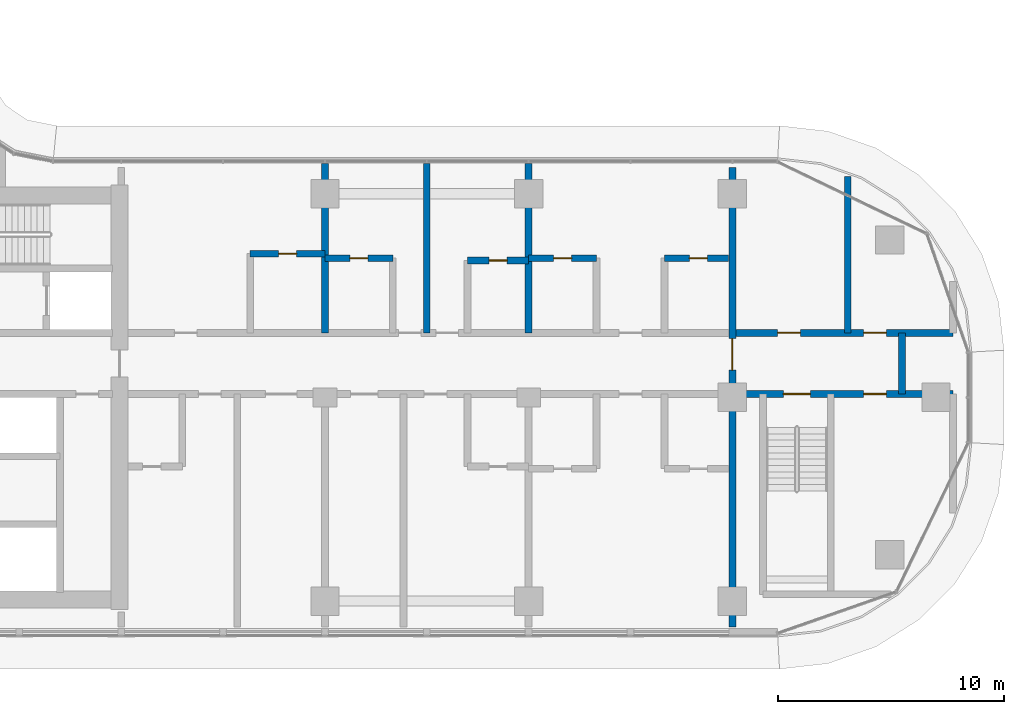
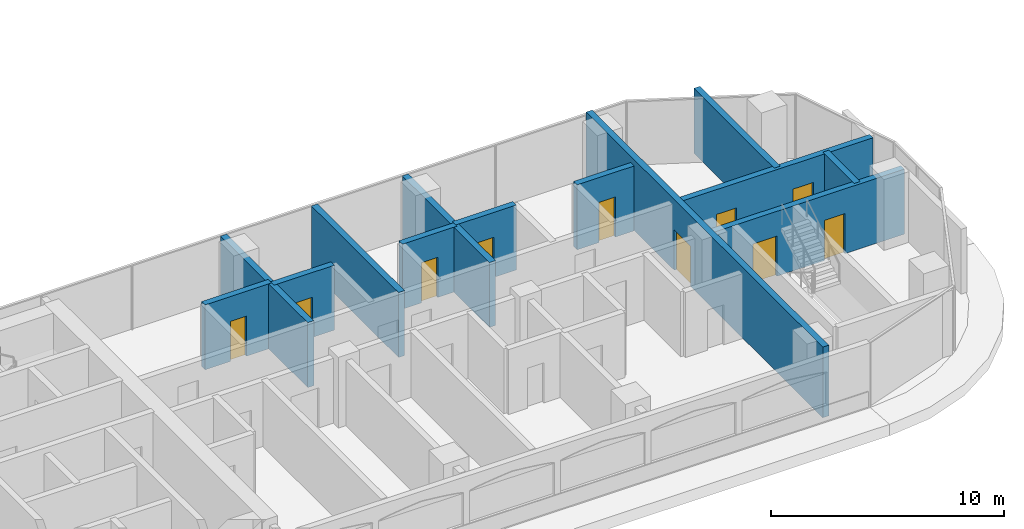
# One storey, part 12 of 25: 13 walls, 10 doors, 10 openings.
"""IFC4 building model written with IfcOpenShell, lengths in metres."""

from ifc_helpers import new_model, si_unit, direction, frame, frame_2d, origin, place, context, subcontext, project, spatial, rectangle, extrude, material, layer, layer_set, type_object, element, fill, save


model = new_model("IFC4")

# Units and contexts
model_context = context("Model", 3, precision=1e-05, world=origin(), true_north=direction((0.0, 1.0)))
body_context = subcontext(model_context, "Body", "Model", "MODEL_VIEW")
ifc_project = project(units=[si_unit("LENGTHUNIT", "METRE"), si_unit("AREAUNIT", "SQUARE_METRE"), si_unit("VOLUMEUNIT", "CUBIC_METRE"), si_unit("PLANEANGLEUNIT", "RADIAN"), si_unit("MASSUNIT", "GRAM", prefix="KILO")], contexts=[model_context])

# Site, building, storey
site_placement = place(None, origin())
site = spatial("IfcSite", under=ifc_project, at=site_placement, CompositionType="ELEMENT")
building_placement = place(site_placement, origin())
building = spatial("IfcBuilding", under=site, at=building_placement, Name="Ogive Portal Towers", CompositionType="ELEMENT")
storey_placement = place(building_placement, frame((0.0, 0.0, 105.60009765625)))
storey = spatial("IfcBuildingStorey", under=building, at=storey_placement, Name="L25", CompositionType="ELEMENT", Elevation=105.60009765625)

# Wall, opening, door
ifc_material_1 = material(Name="Concrete C60/75", Category="concrete")
ifc_layer_1 = layer(ifc_material_1, 0.300048828125)
ifc_layer_set_1 = layer_set([ifc_layer_1], Name="REVEAL WALL 300 C60")
wall_type_1 = type_object("IfcWallType", Name="REVEAL WALL 300 C60", PredefinedType="SHEAR", material=ifc_layer_set_1)
wall_1_placement = place(storey_placement, frame((85.5, 20.35009765625, 0.0), z_axis=(0.0, 0.0, 1.0), x_axis=(0.0, 1.0, 0.0)))
wall_1 = element("IfcWall", 1, at=wall_1_placement, inside=storey, type_object=wall_type_1, Name="Portal reveal wall L25", PredefinedType="SHEAR", context=body_context, shape_type="SweptSolid", body=[
    extrude(rectangle(XDim=20.2998046875, YDim=0.300048828125, at=frame_2d((10.14990234375, 0.0))), origin(), (0.0, 0.0, 1.0), 3.699951171875),
])
opening_1_placement = place(wall_1_placement, frame((11.35009765625, 0.0, 0.0)))
opening_1 = element("IfcOpeningElement", 2, at=opening_1_placement, cuts=wall_1, Name="Opening D09-063", PredefinedType="OPENING", context=body_context, shape_type="SweptSolid", body=[
    extrude(rectangle(XDim=1.39990234375, YDim=2.10009765625, at=frame_2d((0.699951171875, 1.050048828125))), frame((0.0, 0.16015625, 0.0), z_axis=(0.0, -1.0, 0.0), x_axis=(1.0, 0.0, 0.0)), (0.0, 0.0, 1.0), 0.320068359375),
])
ifc_material_2 = material(Name="Steel fire door", Category="steel")
door_type_1 = type_object("IfcDoorType", Name="DT-STAIR-1400x2100-FD90S", OperationType="SINGLE_SWING_LEFT", PredefinedType="DOOR", material=ifc_material_2)
door_1_placement = place(opening_1_placement, origin())
door_1 = element("IfcDoor", 3, at=door_1_placement, inside=storey, type_object=door_type_1, Name="Door D09-063", OperationType="SINGLE_SWING_RIGHT", OverallHeight=2.10009765625, OverallWidth=1.39990234375, PredefinedType="DOOR", context=body_context, shape_type="SweptSolid", body=[
    extrude(rectangle(XDim=1.39990234375, YDim=2.10009765625, at=frame_2d((0.699951171875, 1.050048828125))), frame((0.0, 0.02490234375, 0.0), z_axis=(0.0, -1.0, 0.0), x_axis=(1.0, 0.0, 0.0)), (0.0, 0.0, 1.0), 0.050048828125),
])
fill(opening_1, door_1)

# Wall, openings, doors
ifc_material_3 = material(Name="Concrete C50/60", Category="concrete")
ifc_layer_2 = layer(ifc_material_3, 0.300048828125)
ifc_layer_set_2 = layer_set([ifc_layer_2], Name="STAIR WALL 300 C50")
wall_type_2 = type_object("IfcWallType", Name="STAIR WALL 300 C50", PredefinedType="SHEAR", material=ifc_layer_set_2)
wall_2_placement = place(storey_placement, frame((85.669921875, 30.64990234375, 0.0), z_axis=(0.0, 0.0, 1.0), x_axis=(1.0, 0.0, 0.0)))
wall_2 = element("IfcWall", 4, at=wall_2_placement, inside=storey, type_object=wall_type_2, Name="Stair wall ST-A4 L25", PredefinedType="SHEAR", context=body_context, shape_type="SweptSolid", body=[
    extrude(rectangle(XDim=9.580078125, YDim=0.300048828125, at=frame_2d((4.7900390625, 0.0))), origin(), (0.0, 0.0, 1.0), 3.39990234375),
])
opening_2_placement = place(wall_2_placement, frame((2.080078125, 0.0, 0.0)))
opening_2 = element("IfcOpeningElement", 5, at=opening_2_placement, cuts=wall_2, Name="Opening D09-058", PredefinedType="OPENING", context=body_context, shape_type="SweptSolid", body=[
    extrude(rectangle(XDim=1.199951171875, YDim=2.10009765625, at=frame_2d((0.60009765625, 1.050048828125))), frame((0.0, 0.16015625, 0.0), z_axis=(0.0, -1.0, 0.0), x_axis=(1.0, 0.0, 0.0)), (0.0, 0.0, 1.0), 0.320068359375),
])
opening_3_placement = place(wall_2_placement, frame((5.6298828125, 0.0, 0.0)))
opening_3 = element("IfcOpeningElement", 6, at=opening_3_placement, cuts=wall_2, Name="Opening D09-061", PredefinedType="OPENING", context=body_context, shape_type="SweptSolid", body=[
    extrude(rectangle(XDim=1.0, YDim=2.10009765625, at=frame_2d((0.5, 1.050048828125))), frame((0.0, 0.16015625, 0.0), z_axis=(0.0, -1.0, 0.0), x_axis=(1.0, 0.0, 0.0)), (0.0, 0.0, 1.0), 0.320068359375),
])
door_type_2 = type_object("IfcDoorType", Name="DT-SERVICE-1000x2100-FD90S", OperationType="SINGLE_SWING_LEFT", PredefinedType="DOOR", material=ifc_material_2)
door_2_placement = place(opening_3_placement, origin())
door_2 = element("IfcDoor", 7, at=door_2_placement, inside=storey, type_object=door_type_2, Name="Door D09-061", OperationType="SINGLE_SWING_LEFT", OverallHeight=2.10009765625, OverallWidth=1.0, PredefinedType="DOOR", context=body_context, shape_type="SweptSolid", body=[
    extrude(rectangle(XDim=1.0, YDim=2.10009765625, at=frame_2d((0.5, 1.050048828125))), frame((0.0, 0.02490234375, 0.0), z_axis=(0.0, -1.0, 0.0), x_axis=(1.0, 0.0, 0.0)), (0.0, 0.0, 1.0), 0.050048828125),
])
fill(opening_3, door_2)
door_type_3 = type_object("IfcDoorType", Name="DT-STAIR-1200x2100-FD90S", OperationType="SINGLE_SWING_LEFT", PredefinedType="DOOR", material=ifc_material_2)
door_3_placement = place(opening_2_placement, origin())
door_3 = element("IfcDoor", 8, at=door_3_placement, inside=storey, type_object=door_type_3, Name="Door D09-058", OperationType="SINGLE_SWING_LEFT", OverallHeight=2.10009765625, OverallWidth=1.199951171875, PredefinedType="DOOR", context=body_context, shape_type="SweptSolid", body=[
    extrude(rectangle(XDim=1.199951171875, YDim=2.10009765625, at=frame_2d((0.60009765625, 1.050048828125))), frame((0.0, 0.02490234375, 0.0), z_axis=(0.0, -1.0, 0.0), x_axis=(1.0, 0.0, 0.0)), (0.0, 0.0, 1.0), 0.050048828125),
])
fill(opening_2, door_3)

ifc_material_4 = material(Name="Gypsum board partition on steel studs", Category="steel")
ifc_layer_3 = layer(ifc_material_4, 0.300048828125)
ifc_layer_set_3 = layer_set([ifc_layer_3], Name="WT-PART-300-EI 120")
wall_type_3 = type_object("IfcWallType", Name="WT-PART-300-EI 120", PredefinedType="PARTITIONING", material=ifc_layer_set_3)
wall_3_placement = place(storey_placement, frame((85.669921875, 33.35009765625, 0.0), z_axis=(0.0, 0.0, 1.0), x_axis=(1.0, 0.0, 0.0)))
wall_3 = element("IfcWall", 9, at=wall_3_placement, inside=storey, type_object=wall_type_3, Name="Wall L25:w009", PredefinedType="PARTITIONING", context=body_context, shape_type="SweptSolid", body=[
    extrude(rectangle(XDim=9.580078125, YDim=0.300048828125, at=frame_2d((4.7900390625, 0.0))), origin(), (0.0, 0.0, 1.0), 3.39990234375),
])
opening_4_placement = place(wall_3_placement, frame((1.830078125, 0.0, 0.0)))
opening_4 = element("IfcOpeningElement", 10, at=opening_4_placement, cuts=wall_3, Name="Opening D09-059", PredefinedType="OPENING", context=body_context, shape_type="SweptSolid", body=[
    extrude(rectangle(XDim=1.0, YDim=2.10009765625, at=frame_2d((0.5, 1.050048828125))), frame((0.0, 0.16015625, 0.0), z_axis=(0.0, -1.0, 0.0), x_axis=(1.0, 0.0, 0.0)), (0.0, 0.0, 1.0), 0.320068359375),
])
opening_5_placement = place(wall_3_placement, frame((5.6298828125, 0.0, 0.0)))
opening_5 = element("IfcOpeningElement", 11, at=opening_5_placement, cuts=wall_3, Name="Opening D09-060", PredefinedType="OPENING", context=body_context, shape_type="SweptSolid", body=[
    extrude(rectangle(XDim=1.0, YDim=2.10009765625, at=frame_2d((0.5, 1.050048828125))), frame((0.0, 0.16015625, 0.0), z_axis=(0.0, -1.0, 0.0), x_axis=(1.0, 0.0, 0.0)), (0.0, 0.0, 1.0), 0.320068359375),
])
door_4_placement = place(opening_4_placement, origin())
door_4 = element("IfcDoor", 12, at=door_4_placement, inside=storey, type_object=door_type_2, Name="Door D09-059", OperationType="SINGLE_SWING_LEFT", OverallHeight=2.10009765625, OverallWidth=1.0, PredefinedType="DOOR", context=body_context, shape_type="SweptSolid", body=[
    extrude(rectangle(XDim=1.0, YDim=2.10009765625, at=frame_2d((0.5, 1.050048828125))), frame((0.0, 0.02490234375, 0.0), z_axis=(0.0, -1.0, 0.0), x_axis=(1.0, 0.0, 0.0)), (0.0, 0.0, 1.0), 0.050048828125),
])
fill(opening_4, door_4)
door_5_placement = place(opening_5_placement, origin())
door_5 = element("IfcDoor", 13, at=door_5_placement, inside=storey, type_object=door_type_2, Name="Riser access door D09-060", OperationType="SINGLE_SWING_RIGHT", OverallHeight=2.10009765625, OverallWidth=1.0, PredefinedType="DOOR", context=body_context, shape_type="SweptSolid", body=[
    extrude(rectangle(XDim=1.0, YDim=2.10009765625, at=frame_2d((0.5, 1.050048828125))), frame((0.0, 0.02490234375, 0.0), z_axis=(0.0, -1.0, 0.0), x_axis=(1.0, 0.0, 0.0)), (0.0, 0.0, 1.0), 0.050048828125),
])
fill(opening_5, door_5)

# Wall
wall_4_placement = place(storey_placement, frame((93.0, 30.64990234375, 0.0), z_axis=(0.0, 0.0, 1.0), x_axis=(0.0, 1.0, 0.0)))
element("IfcWall", 14, at=wall_4_placement, inside=storey, type_object=wall_type_3, Name="Wall L25:w065", PredefinedType="PARTITIONING", context=body_context, shape_type="SweptSolid", body=[
    extrude(rectangle(XDim=2.7001953125, YDim=0.300048828125, at=frame_2d((1.35009765625, 0.0))), origin(), (0.0, 0.0, 1.0), 3.39990234375),
])

# Wall, opening, door
ifc_layer_4 = layer(ifc_material_4, 0.300048828125)
ifc_layer_set_4 = layer_set([ifc_layer_4], Name="WT-PART-300-EI 60")
wall_type_4 = type_object("IfcWallType", Name="WT-PART-300-EI 60", PredefinedType="PARTITIONING", material=ifc_layer_set_4)
wall_5_placement = place(storey_placement, frame((73.800048828125, 36.550048828125, 0.0), z_axis=(0.0, 0.0, 1.0), x_axis=(1.0, 0.0, 0.0)))
wall_5 = element("IfcWall", 15, at=wall_5_placement, inside=storey, type_object=wall_type_4, Name="Wall L25:w010", PredefinedType="PARTITIONING", context=body_context, shape_type="SweptSolid", body=[
    extrude(rectangle(XDim=2.699951171875, YDim=0.300048828125, at=frame_2d((1.35009765625, 0.0))), origin(), (0.0, 0.0, 1.0), 3.39990234375),
])
opening_6_placement = place(wall_5_placement, frame((0.949951171875, 0.0, 0.0)))
opening_6 = element("IfcOpeningElement", 16, at=opening_6_placement, cuts=wall_5, Name="Opening D09-031", PredefinedType="OPENING", context=body_context, shape_type="SweptSolid", body=[
    extrude(rectangle(XDim=0.800048828125, YDim=2.10009765625, at=frame_2d((0.39990234375, 1.050048828125))), frame((0.0, 0.16015625, 0.0), z_axis=(0.0, -1.0, 0.0), x_axis=(1.0, 0.0, 0.0)), (0.0, 0.0, 1.0), 0.320068359375),
])
door_type_4 = type_object("IfcDoorType", Name="DT-BATH-800x2100-FD60S", OperationType="SINGLE_SWING_LEFT", PredefinedType="DOOR", material=ifc_material_2)
door_6_placement = place(opening_6_placement, origin())
door_6 = element("IfcDoor", 17, at=door_6_placement, inside=storey, type_object=door_type_4, Name="Door D09-031", OperationType="SINGLE_SWING_RIGHT", OverallHeight=2.10009765625, OverallWidth=0.800048828125, PredefinedType="DOOR", context=body_context, shape_type="SweptSolid", body=[
    extrude(rectangle(XDim=0.800048828125, YDim=2.10009765625, at=frame_2d((0.39990234375, 1.050048828125))), frame((0.0, 0.02490234375, 0.0), z_axis=(0.0, -1.0, 0.0), x_axis=(1.0, 0.0, 0.0)), (0.0, 0.0, 1.0), 0.050048828125),
])
fill(opening_6, door_6)

wall_6_placement = place(storey_placement, frame((67.5, 36.64990234375, 0.0), z_axis=(0.0, 0.0, 1.0), x_axis=(1.0, 0.0, 0.0)))
wall_6 = element("IfcWall", 18, at=wall_6_placement, inside=storey, type_object=wall_type_4, Name="Wall L25:w011", PredefinedType="PARTITIONING", context=body_context, shape_type="SweptSolid", body=[
    extrude(rectangle(XDim=3.0, YDim=0.300048828125, at=frame_2d((1.5, 0.0))), origin(), (0.0, 0.0, 1.0), 3.39990234375),
])
opening_7_placement = place(wall_6_placement, frame((1.10009765625, 0.0, 0.0)))
opening_7 = element("IfcOpeningElement", 19, at=opening_7_placement, cuts=wall_6, Name="Opening D09-029", PredefinedType="OPENING", context=body_context, shape_type="SweptSolid", body=[
    extrude(rectangle(XDim=0.800048828125, YDim=2.10009765625, at=frame_2d((0.39990234375, 1.050048828125))), frame((0.0, 0.16015625, 0.0), z_axis=(0.0, -1.0, 0.0), x_axis=(1.0, 0.0, 0.0)), (0.0, 0.0, 1.0), 0.320068359375),
])
door_7_placement = place(opening_7_placement, origin())
door_7 = element("IfcDoor", 20, at=door_7_placement, inside=storey, type_object=door_type_4, Name="Door D09-029", OperationType="SINGLE_SWING_LEFT", OverallHeight=2.10009765625, OverallWidth=0.800048828125, PredefinedType="DOOR", context=body_context, shape_type="SweptSolid", body=[
    extrude(rectangle(XDim=0.800048828125, YDim=2.10009765625, at=frame_2d((0.39990234375, 1.050048828125))), frame((0.0, 0.02490234375, 0.0), z_axis=(0.0, -1.0, 0.0), x_axis=(1.0, 0.0, 0.0)), (0.0, 0.0, 1.0), 0.050048828125),
])
fill(opening_7, door_7)

wall_7_placement = place(storey_placement, frame((76.5, 36.64990234375, 0.0), z_axis=(0.0, 0.0, 1.0), x_axis=(1.0, 0.0, 0.0)))
wall_7 = element("IfcWall", 21, at=wall_7_placement, inside=storey, type_object=wall_type_4, Name="Wall L25:w012", PredefinedType="PARTITIONING", context=body_context, shape_type="SweptSolid", body=[
    extrude(rectangle(XDim=3.0, YDim=0.300048828125, at=frame_2d((1.5, 0.0))), origin(), (0.0, 0.0, 1.0), 3.39990234375),
])
opening_8_placement = place(wall_7_placement, frame((1.10009765625, 0.0, 0.0)))
opening_8 = element("IfcOpeningElement", 22, at=opening_8_placement, cuts=wall_7, Name="Opening D09-036", PredefinedType="OPENING", context=body_context, shape_type="SweptSolid", body=[
    extrude(rectangle(XDim=0.800048828125, YDim=2.10009765625, at=frame_2d((0.39990234375, 1.050048828125))), frame((0.0, 0.16015625, 0.0), z_axis=(0.0, -1.0, 0.0), x_axis=(1.0, 0.0, 0.0)), (0.0, 0.0, 1.0), 0.320068359375),
])
door_8_placement = place(opening_8_placement, origin())
door_8 = element("IfcDoor", 23, at=door_8_placement, inside=storey, type_object=door_type_4, Name="Door D09-036", OperationType="SINGLE_SWING_LEFT", OverallHeight=2.10009765625, OverallWidth=0.800048828125, PredefinedType="DOOR", context=body_context, shape_type="SweptSolid", body=[
    extrude(rectangle(XDim=0.800048828125, YDim=2.10009765625, at=frame_2d((0.39990234375, 1.050048828125))), frame((0.0, 0.02490234375, 0.0), z_axis=(0.0, -1.0, 0.0), x_axis=(1.0, 0.0, 0.0)), (0.0, 0.0, 1.0), 0.050048828125),
])
fill(opening_8, door_8)

wall_8_placement = place(storey_placement, frame((82.5, 36.64990234375, 0.0), z_axis=(0.0, 0.0, 1.0), x_axis=(1.0, 0.0, 0.0)))
wall_8 = element("IfcWall", 24, at=wall_8_placement, inside=storey, type_object=wall_type_4, Name="Wall L25:w013", PredefinedType="PARTITIONING", context=body_context, shape_type="SweptSolid", body=[
    extrude(rectangle(XDim=2.830078125, YDim=0.300048828125, at=frame_2d((1.4150390625, 0.0))), origin(), (0.0, 0.0, 1.0), 3.39990234375),
])
opening_9_placement = place(wall_8_placement, frame((1.10009765625, 0.0, 0.0)))
opening_9 = element("IfcOpeningElement", 25, at=opening_9_placement, cuts=wall_8, Name="Opening D09-037", PredefinedType="OPENING", context=body_context, shape_type="SweptSolid", body=[
    extrude(rectangle(XDim=0.800048828125, YDim=2.10009765625, at=frame_2d((0.39990234375, 1.050048828125))), frame((0.0, 0.16015625, 0.0), z_axis=(0.0, -1.0, 0.0), x_axis=(1.0, 0.0, 0.0)), (0.0, 0.0, 1.0), 0.320068359375),
])
door_9_placement = place(opening_9_placement, origin())
door_9 = element("IfcDoor", 26, at=door_9_placement, inside=storey, type_object=door_type_4, Name="Door D09-037", OperationType="SINGLE_SWING_RIGHT", OverallHeight=2.10009765625, OverallWidth=0.800048828125, PredefinedType="DOOR", context=body_context, shape_type="SweptSolid", body=[
    extrude(rectangle(XDim=0.800048828125, YDim=2.10009765625, at=frame_2d((0.39990234375, 1.050048828125))), frame((0.0, 0.02490234375, 0.0), z_axis=(0.0, -1.0, 0.0), x_axis=(1.0, 0.0, 0.0)), (0.0, 0.0, 1.0), 0.050048828125),
])
fill(opening_9, door_9)

wall_9_placement = place(storey_placement, frame((64.199951171875, 36.85009765625, 0.0), z_axis=(0.0, 0.0, 1.0), x_axis=(1.0, 0.0, 0.0)))
wall_9 = element("IfcWall", 27, at=wall_9_placement, inside=storey, type_object=wall_type_4, Name="Wall L25:w014", PredefinedType="PARTITIONING", context=body_context, shape_type="SweptSolid", body=[
    extrude(rectangle(XDim=3.300048828125, YDim=0.300048828125, at=frame_2d((1.64990234375, 0.0))), origin(), (0.0, 0.0, 1.0), 3.39990234375),
])
opening_10_placement = place(wall_9_placement, frame((1.25, 0.0, 0.0)))
opening_10 = element("IfcOpeningElement", 28, at=opening_10_placement, cuts=wall_9, Name="Opening D09-024", PredefinedType="OPENING", context=body_context, shape_type="SweptSolid", body=[
    extrude(rectangle(XDim=0.800048828125, YDim=2.10009765625, at=frame_2d((0.39990234375, 1.050048828125))), frame((0.0, 0.16015625, 0.0), z_axis=(0.0, -1.0, 0.0), x_axis=(1.0, 0.0, 0.0)), (0.0, 0.0, 1.0), 0.320068359375),
])
door_10_placement = place(opening_10_placement, origin())
door_10 = element("IfcDoor", 29, at=door_10_placement, inside=storey, type_object=door_type_4, Name="Door D09-024", OperationType="SINGLE_SWING_LEFT", OverallHeight=2.10009765625, OverallWidth=0.800048828125, PredefinedType="DOOR", context=body_context, shape_type="SweptSolid", body=[
    extrude(rectangle(XDim=0.800048828125, YDim=2.10009765625, at=frame_2d((0.39990234375, 1.050048828125))), frame((0.0, 0.02490234375, 0.0), z_axis=(0.0, -1.0, 0.0), x_axis=(1.0, 0.0, 0.0)), (0.0, 0.0, 1.0), 0.050048828125),
])
fill(opening_10, door_10)

# Walls
for number, where, z_axis, x_axis, name in (
    (30, (67.5, 33.35009765625, 0.0), (0.0, 0.0, 1.0), (0.0, 1.0, 0.0), "Wall L25:w050"),
    (31, (72.0, 33.35009765625, 0.0), (0.0, 0.0, 1.0), (0.0, 1.0, 0.0), "Wall L25:w053"),
    (32, (76.5, 33.35009765625, 0.0), (0.0, 0.0, 1.0), (0.0, 1.0, 0.0), "Wall L25:w057"),
):
    element("IfcWall", number, at=place(storey_placement, frame(where, z_axis=z_axis, x_axis=x_axis)), inside=storey, type_object=wall_type_4, Name=name, PredefinedType="PARTITIONING", context=body_context, shape_type="SweptSolid", body=[
        extrude(rectangle(XDim=7.47998046875, YDim=0.300048828125, at=frame_2d((3.739990234375, 0.0))), origin(), (0.0, 0.0, 1.0), 3.39990234375),
    ])
wall_10_placement = place(storey_placement, frame((90.60009765625, 33.35009765625, 0.0), z_axis=(0.0, 0.0, 1.0), x_axis=(0.0, 1.0, 0.0)))
element("IfcWall", 33, at=wall_10_placement, inside=storey, type_object=wall_type_4, Name="Wall L25:w064", PredefinedType="PARTITIONING", context=body_context, shape_type="SweptSolid", body=[
    extrude(rectangle(XDim=6.89794921875, YDim=0.300048828125, at=frame_2d((3.448974609375, 0.0))), origin(), (0.0, 0.0, 1.0), 3.39990234375),
])

save(model, "model.ifc")
